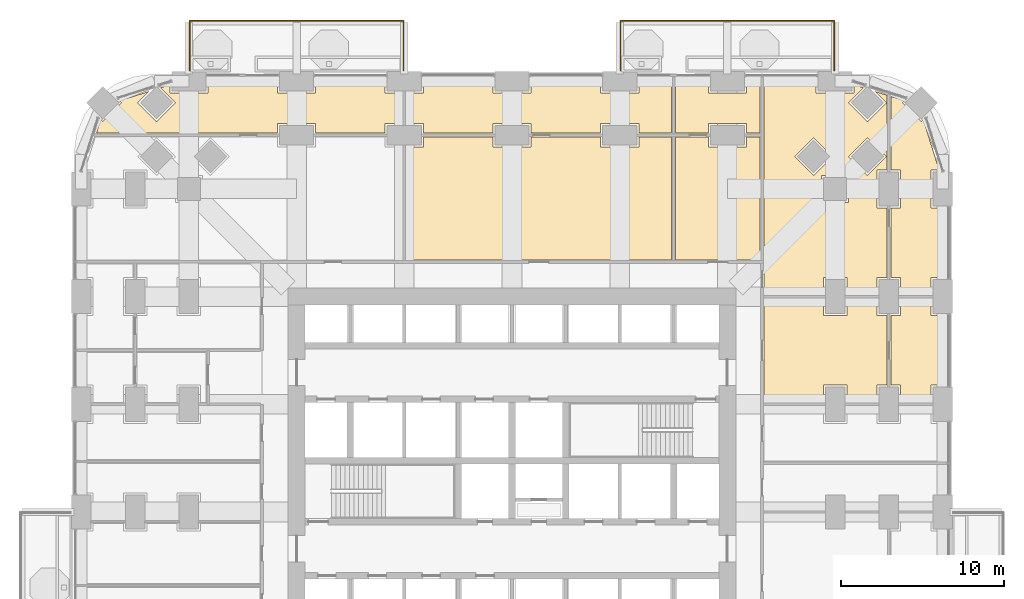
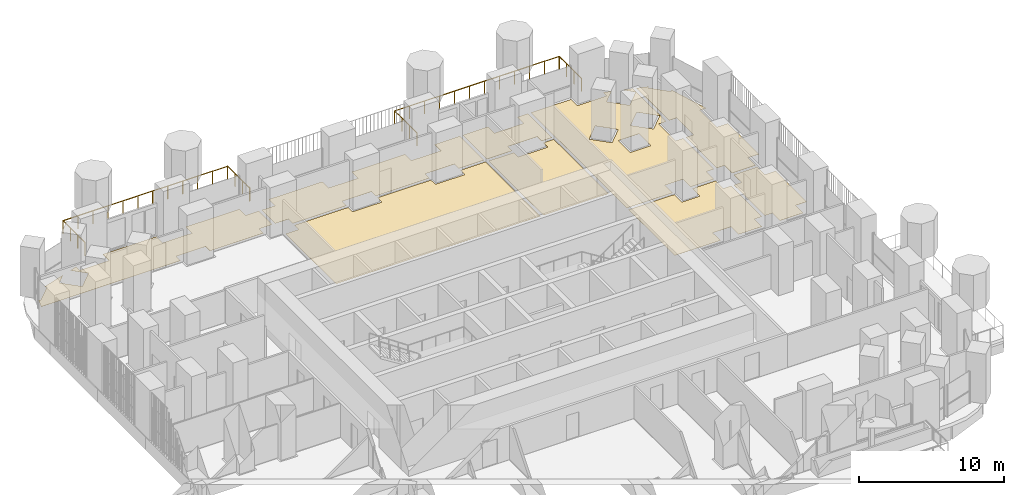
# One storey, part 26 of 27: 9 coverings, 2 railings.
"""IFC4 building model written with IfcOpenShell, lengths in metres."""

import ifcopenshell
import ifcopenshell.guid

model = None  # the IFC model being written
_history = None  # IfcOwnerHistory: only IFC2X3 demands one
_inside = {}  # id of a spatial element -> (the spatial element, [elements in it])
_under = {}  # id of a project, library or spatial element -> (it, [spatial elements below it])
_declared = {}  # id of a project -> (the project, [libraries it declares])
_typed = {}  # id of a type object -> (the type object, [elements of that type])
_made_of = {}  # id of a material, layer set ... -> (it, [elements and type objects made of it])


def new_model(schema):
    """Start an empty IFC model of exactly this schema.

    Asked for "IFC4X3", IfcOpenShell would pick the latest addendum, in which some entities
    have other attributes; the version numbers below select the first issue.
    IFC2X3 requires an IfcOwnerHistory on every rooted entity: one is made here for all.
    """
    global model, _history
    if schema == "IFC4X3":
        model = ifcopenshell.file(schema_version=(4, 3, 0, 0))
    else:
        model = ifcopenshell.file(schema=schema)
    _inside.clear()
    _under.clear()
    _declared.clear()
    _typed.clear()
    _made_of.clear()
    _history = None
    if model.schema == "IFC2X3":
        org = make("IfcOrganization", Name="unknown")
        user = make(
            "IfcPersonAndOrganization",
            ThePerson=make("IfcPerson", FamilyName="unknown"),
            TheOrganization=org,
        )
        app = make(
            "IfcApplication",
            ApplicationDeveloper=org,
            Version="unknown",
            ApplicationFullName="unknown",
            ApplicationIdentifier="unknown",
        )
        _history = make(
            "IfcOwnerHistory",
            OwningUser=user,
            OwningApplication=app,
            ChangeAction="ADDED",
            CreationDate=0,
        )
    return model


def make(cls, **values):
    """One entity of the class cls with the attributes given. An attribute that is None is left unset."""
    return model.create_entity(
        cls, **{name: value for name, value in values.items() if value is not None}
    )


def rooted(cls, **values):
    """An entity with a GlobalId (a new one), such as an element, a storey or a relation."""
    return make(cls, GlobalId=ifcopenshell.guid.new(), OwnerHistory=_history, **values)


def si_unit(unit_type, name, prefix=None):
    """IfcSIUnit, for example si_unit("LENGTHUNIT", "METRE", prefix="MILLI")."""
    return make("IfcSIUnit", UnitType=unit_type, Prefix=prefix, Name=name)


def assignment(units):
    """IfcUnitAssignment: the units of a project."""
    return None if units is None else make("IfcUnitAssignment", Units=units)


def point(xyz):
    """IfcCartesianPoint."""
    return None if xyz is None else make("IfcCartesianPoint", Coordinates=xyz)


def direction(xyz):
    """IfcDirection."""
    return None if xyz is None else make("IfcDirection", DirectionRatios=xyz)


def frame(location, z_axis=None, x_axis=None):
    """IfcAxis2Placement3D, a coordinate frame: its origin and axes. An axis left out is left unset."""
    return make(
        "IfcAxis2Placement3D",
        Location=point(location),
        Axis=direction(z_axis),
        RefDirection=direction(x_axis),
    )


def origin():
    """The frame at (0, 0, 0) with its axes left unset."""
    return frame((0.0, 0.0, 0.0))


def place(relative_to, where):
    """IfcLocalPlacement: puts the frame where relative to a parent placement (None: the world)."""
    return make(
        "IfcLocalPlacement", PlacementRelTo=relative_to, RelativePlacement=where
    )


def context(
    kind, dimensions, precision=None, world=None, true_north=None, identifier=None
):
    """IfcGeometricRepresentationContext, for example the 3D "Model" context."""
    return make(
        "IfcGeometricRepresentationContext",
        ContextIdentifier=identifier,
        ContextType=kind,
        CoordinateSpaceDimension=dimensions,
        Precision=precision,
        WorldCoordinateSystem=world,
        TrueNorth=true_north,
    )


def subcontext(parent, identifier, kind, view, scale=None):
    """IfcGeometricRepresentationSubContext, for example "Body" below "Model"."""
    return make(
        "IfcGeometricRepresentationSubContext",
        ContextIdentifier=identifier,
        ContextType=kind,
        ParentContext=parent,
        TargetScale=scale,
        TargetView=view,
    )


def project(units=None, contexts=None):
    """IfcProject with its units and contexts."""
    return rooted(
        "IfcProject",
        Name="project",
        RepresentationContexts=contexts,
        UnitsInContext=assignment(units),
    )


def spatial(cls, under=None, at=None, **own):
    """A site, building, storey or space (cls), placed at a placement, below another one or the project."""
    s = rooted(cls, ObjectPlacement=at, **own)
    if under is not None:
        _under.setdefault(under.id(), (under, []))[1].append(s)
    return s


def polyline(points):
    """IfcPolyline through the points."""
    return make("IfcPolyline", Points=[point(p) for p in points])


def outline(outer, holes=None, kind="AREA"):
    """IfcArbitraryClosedProfileDef: a profile drawn as a closed curve; with holes, ...WithVoids."""
    if holes is None:
        return make("IfcArbitraryClosedProfileDef", ProfileType=kind, OuterCurve=outer)
    return make(
        "IfcArbitraryProfileDefWithVoids",
        ProfileType=kind,
        OuterCurve=outer,
        InnerCurves=holes,
    )


def extrude(swept, where, along, depth):
    """IfcExtrudedAreaSolid: the profile swept, set in the frame where, extruded along a direction by depth."""
    return make(
        "IfcExtrudedAreaSolid",
        SweptArea=swept,
        Position=where,
        ExtrudedDirection=direction(along),
        Depth=depth,
    )


def shape(context_of_items, identifier, shape_type, items):
    """IfcShapeRepresentation: the items that make up one representation, for example the "Body"."""
    return make(
        "IfcShapeRepresentation",
        ContextOfItems=context_of_items,
        RepresentationIdentifier=identifier,
        RepresentationType=shape_type,
        Items=items,
    )


def material(Name=None, Category=None):
    """IfcMaterial."""
    return make("IfcMaterial", Name=Name, Category=Category)


def layer(
    of_material, thickness, ventilated=None, Name=None, Category=None, Priority=None
):
    """IfcMaterialLayer: one layer of a wall or slab, of a material (None: an air gap)."""
    return make(
        "IfcMaterialLayer",
        Material=of_material,
        LayerThickness=thickness,
        IsVentilated=ventilated,
        Name=Name,
        Category=Category,
        Priority=Priority,
    )


def layer_set(layers, Name=None):
    """IfcMaterialLayerSet."""
    return make("IfcMaterialLayerSet", MaterialLayers=layers, LayerSetName=Name)


def made_of(thing, what):
    """Note that an element or type object is made of a material, layer set ...; save() writes the relation."""
    if what is not None:
        _made_of.setdefault(what.id(), (what, []))[1].append(thing)
    return thing


def type_object(cls, material=None, **own):
    """A type object (cls), such as IfcWallType, which elements share."""
    return made_of(rooted(cls, **own), material)


def element(
    cls,
    number,
    at=None,
    inside=None,
    cuts=None,
    type_object=None,
    material=None,
    context=None,
    identifier="Body",
    shape_type=None,
    held_by="IfcProductDefinitionShape",
    body=None,
    shapes=None,
    **own,
):
    """One element of the class cls, such as IfcWall. Its Tag is "e" and its number.

    at: its placement. inside: the storey or other place that contains it. cuts: it is an
    opening in that element (IfcRelVoidsElement). A single representation is given by context,
    identifier, shape_type and body (its items); several are given by shapes. held_by: the class
    of the entity that holds the representations. save() writes the other relations.
    """
    e = rooted(cls, Tag="e%d" % number, ObjectPlacement=at, **own)
    if body is not None:
        shapes = [shape(context, identifier, shape_type, body)]
    if shapes is not None:
        e.Representation = make(held_by, Representations=shapes)
    if inside is not None:
        _inside.setdefault(inside.id(), (inside, []))[1].append(e)
    if cuts is not None:
        rooted(
            "IfcRelVoidsElement", RelatingBuildingElement=cuts, RelatedOpeningElement=e
        )
    if type_object is not None:
        _typed.setdefault(type_object.id(), (type_object, []))[1].append(e)
    return made_of(e, material)


def aggregate(whole, parts):
    """IfcRelAggregates: a whole, such as a stair, and the parts it consists of."""
    return rooted("IfcRelAggregates", RelatingObject=whole, RelatedObjects=parts)


def save(model, path):
    """Write the relations noted so far, then the file.

    IfcRelAggregates (storeys below a building ...), IfcRelContainedInSpatialStructure (elements
    in a storey), IfcRelDefinesByType, IfcRelAssociatesMaterial and IfcRelDeclares: one each for
    every whole, place, type object, material and project.
    """
    for whole, parts in _under.values():
        aggregate(whole, parts)
    for where, things in _inside.values():
        rooted(
            "IfcRelContainedInSpatialStructure",
            RelatedElements=things,
            RelatingStructure=where,
        )
    for kind, things in _typed.values():
        rooted("IfcRelDefinesByType", RelatedObjects=things, RelatingType=kind)
    for what, things in _made_of.values():
        rooted("IfcRelAssociatesMaterial", RelatedObjects=things, RelatingMaterial=what)
    for by, libraries in _declared.values():
        rooted("IfcRelDeclares", RelatingContext=by, RelatedDefinitions=libraries)
    model.write(path)


model = new_model("IFC4")

# Units and contexts
model_context = context("Model", 3, precision=1e-05, world=origin(), true_north=direction((0.0, 1.0)))
body_context = subcontext(model_context, "Body", "Model", "MODEL_VIEW")
ifc_project = project(units=[si_unit("LENGTHUNIT", "METRE"), si_unit("AREAUNIT", "SQUARE_METRE"), si_unit("VOLUMEUNIT", "CUBIC_METRE"), si_unit("PLANEANGLEUNIT", "RADIAN"), si_unit("MASSUNIT", "GRAM", prefix="KILO")], contexts=[model_context])

# Site, building, storey
site_placement = place(None, origin())
site = spatial("IfcSite", under=ifc_project, at=site_placement, CompositionType="ELEMENT")
building_placement = place(site_placement, origin())
building = spatial("IfcBuilding", under=site, at=building_placement, Name="Cobogo Forest Laboratory Tower", CompositionType="ELEMENT")
storey_placement = place(building_placement, frame((0.0, 0.0, 46.5)))
storey = spatial("IfcBuildingStorey", under=building, at=storey_placement, Name="L10", CompositionType="ELEMENT", Elevation=46.5)

# Railings
ifc_material_1 = material(Name="Laminated glass balustrade", Category="glass")
railing_type = type_object("IfcRailingType", Name="BG1 glass balustrade 1100", PredefinedType="GUARDRAIL", material=ifc_material_1)
railing_1_placement = place(storey_placement, frame((6.64990234375, 46.85009765625, 0.0)))
element("IfcRailing", 1, at=railing_1_placement, inside=storey, type_object=railing_type, Name="Balcony balustrade BAL-N1 L10", PredefinedType="GUARDRAIL", context=body_context, shape_type="SweptSolid", body=[
    extrude(outline(polyline([(0.022216796875, 0.00927734375), (0.00927734375, 0.022216796875), (-0.00927734375, 0.022216796875), (-0.022216796875, 0.00927734375), (-0.022216796875, -0.00927734375), (-0.00927734375, -0.022216796875), (0.00927734375, -0.022216796875), (0.022216796875, -0.00927734375), (0.022216796875, 0.00927734375)])), frame((0.0, 0.0, 1.077880859375), z_axis=(0.0, 1.0, 0.0), x_axis=(-1.0, 0.0, 0.0)), (0.0, 0.0, 1.0), 3.0498046875),
    extrude(outline(polyline([(0.022216796875, 0.00927734375), (0.00927734375, 0.022216796875), (-0.00927734375, 0.022216796875), (-0.022216796875, 0.00927734375), (-0.022216796875, -0.00927734375), (-0.00927734375, -0.022216796875), (0.00927734375, -0.022216796875), (0.022216796875, -0.00927734375), (0.022216796875, 0.00927734375)])), frame((0.0, 3.0498046875, 1.077880859375), z_axis=(1.0, 0.0, 0.0), x_axis=(0.0, 1.0, 0.0)), (0.0, 0.0, 1.0), 13.10009765625),
    extrude(outline(polyline([(0.022216796875, 0.00927734375), (0.00927734375, 0.022216796875), (-0.00927734375, 0.022216796875), (-0.022216796875, 0.00927734375), (-0.022216796875, -0.00927734375), (-0.00927734375, -0.022216796875), (0.00927734375, -0.022216796875), (0.022216796875, -0.00927734375), (0.022216796875, 0.00927734375)])), frame((13.10009765625, 3.0498046875, 1.077880859375), z_axis=(0.0, -1.0, 0.0), x_axis=(1.0, 0.0, 0.0)), (0.0, 0.0, 1.0), 3.0498046875),
    extrude(outline(polyline([(0.019287109375, 0.008056640625), (0.008056640625, 0.019287109375), (-0.008056640625, 0.019287109375), (-0.019287109375, 0.008056640625), (-0.019287109375, -0.008056640625), (-0.008056640625, -0.019287109375), (0.008056640625, -0.019287109375), (0.019287109375, -0.008056640625), (0.019287109375, 0.008056640625)])), origin(), (0.0, 0.0, 1.0), 1.077880859375),
    extrude(outline(polyline([(0.019287109375, 0.008056640625), (0.008056640625, 0.019287109375), (-0.008056640625, 0.019287109375), (-0.019287109375, 0.008056640625), (-0.019287109375, -0.008056640625), (-0.008056640625, -0.019287109375), (0.008056640625, -0.019287109375), (0.019287109375, -0.008056640625), (0.019287109375, 0.008056640625)])), frame((0.0, 1.0166015625, 0.0)), (0.0, 0.0, 1.0), 1.077880859375),
    extrude(outline(polyline([(0.019287109375, 0.008056640625), (0.008056640625, 0.019287109375), (-0.008056640625, 0.019287109375), (-0.019287109375, 0.008056640625), (-0.019287109375, -0.008056640625), (-0.008056640625, -0.019287109375), (0.008056640625, -0.019287109375), (0.019287109375, -0.008056640625), (0.019287109375, 0.008056640625)])), frame((0.0, 2.033203125, 0.0)), (0.0, 0.0, 1.0), 1.077880859375),
    extrude(outline(polyline([(0.019287109375, 0.008056640625), (0.008056640625, 0.019287109375), (-0.008056640625, 0.019287109375), (-0.019287109375, 0.008056640625), (-0.019287109375, -0.008056640625), (-0.008056640625, -0.019287109375), (0.008056640625, -0.019287109375), (0.019287109375, -0.008056640625), (0.019287109375, 0.008056640625)])), frame((0.0, 3.0498046875, 0.0)), (0.0, 0.0, 1.0), 1.077880859375),
    extrude(outline(polyline([(0.019287109375, 0.008056640625), (0.008056640625, 0.019287109375), (-0.008056640625, 0.019287109375), (-0.019287109375, 0.008056640625), (-0.019287109375, -0.008056640625), (-0.008056640625, -0.019287109375), (0.008056640625, -0.019287109375), (0.019287109375, -0.008056640625), (0.019287109375, 0.008056640625)])), frame((1.19091796875, 3.0498046875, 0.0)), (0.0, 0.0, 1.0), 1.077880859375),
    extrude(outline(polyline([(0.019287109375, 0.008056640625), (0.008056640625, 0.019287109375), (-0.008056640625, 0.019287109375), (-0.019287109375, 0.008056640625), (-0.019287109375, -0.008056640625), (-0.008056640625, -0.019287109375), (0.008056640625, -0.019287109375), (0.019287109375, -0.008056640625), (0.019287109375, 0.008056640625)])), frame((2.3818359375, 3.0498046875, 0.0)), (0.0, 0.0, 1.0), 1.077880859375),
    extrude(outline(polyline([(0.019287109375, 0.008056640625), (0.008056640625, 0.019287109375), (-0.008056640625, 0.019287109375), (-0.019287109375, 0.008056640625), (-0.019287109375, -0.008056640625), (-0.008056640625, -0.019287109375), (0.008056640625, -0.019287109375), (0.019287109375, -0.008056640625), (0.019287109375, 0.008056640625)])), frame((3.57275390625, 3.0498046875, 0.0)), (0.0, 0.0, 1.0), 1.077880859375),
    extrude(outline(polyline([(0.019287109375, 0.008056640625), (0.008056640625, 0.019287109375), (-0.008056640625, 0.019287109375), (-0.019287109375, 0.008056640625), (-0.019287109375, -0.008056640625), (-0.008056640625, -0.019287109375), (0.008056640625, -0.019287109375), (0.019287109375, -0.008056640625), (0.019287109375, 0.008056640625)])), frame((4.763671875, 3.0498046875, 0.0)), (0.0, 0.0, 1.0), 1.077880859375),
    extrude(outline(polyline([(0.019287109375, 0.008056640625), (0.008056640625, 0.019287109375), (-0.008056640625, 0.019287109375), (-0.019287109375, 0.008056640625), (-0.019287109375, -0.008056640625), (-0.008056640625, -0.019287109375), (0.008056640625, -0.019287109375), (0.019287109375, -0.008056640625), (0.019287109375, 0.008056640625)])), frame((5.95458984375, 3.0498046875, 0.0)), (0.0, 0.0, 1.0), 1.077880859375),
    extrude(outline(polyline([(0.019287109375, 0.008056640625), (0.008056640625, 0.019287109375), (-0.008056640625, 0.019287109375), (-0.019287109375, 0.008056640625), (-0.019287109375, -0.008056640625), (-0.008056640625, -0.019287109375), (0.008056640625, -0.019287109375), (0.019287109375, -0.008056640625), (0.019287109375, 0.008056640625)])), frame((7.1455078125, 3.0498046875, 0.0)), (0.0, 0.0, 1.0), 1.077880859375),
    extrude(outline(polyline([(0.019287109375, 0.008056640625), (0.008056640625, 0.019287109375), (-0.008056640625, 0.019287109375), (-0.019287109375, 0.008056640625), (-0.019287109375, -0.008056640625), (-0.008056640625, -0.019287109375), (0.008056640625, -0.019287109375), (0.019287109375, -0.008056640625), (0.019287109375, 0.008056640625)])), frame((8.33642578125, 3.0498046875, 0.0)), (0.0, 0.0, 1.0), 1.077880859375),
    extrude(outline(polyline([(0.019287109375, 0.008056640625), (0.008056640625, 0.019287109375), (-0.008056640625, 0.019287109375), (-0.019287109375, 0.008056640625), (-0.019287109375, -0.008056640625), (-0.008056640625, -0.019287109375), (0.008056640625, -0.019287109375), (0.019287109375, -0.008056640625), (0.019287109375, 0.008056640625)])), frame((9.52734375, 3.0498046875, 0.0)), (0.0, 0.0, 1.0), 1.077880859375),
    extrude(outline(polyline([(0.019287109375, 0.008056640625), (0.008056640625, 0.019287109375), (-0.008056640625, 0.019287109375), (-0.019287109375, 0.008056640625), (-0.019287109375, -0.008056640625), (-0.008056640625, -0.019287109375), (0.008056640625, -0.019287109375), (0.019287109375, -0.008056640625), (0.019287109375, 0.008056640625)])), frame((10.71826171875, 3.0498046875, 0.0)), (0.0, 0.0, 1.0), 1.077880859375),
    extrude(outline(polyline([(0.019287109375, 0.008056640625), (0.008056640625, 0.019287109375), (-0.008056640625, 0.019287109375), (-0.019287109375, 0.008056640625), (-0.019287109375, -0.008056640625), (-0.008056640625, -0.019287109375), (0.008056640625, -0.019287109375), (0.019287109375, -0.008056640625), (0.019287109375, 0.008056640625)])), frame((11.9091796875, 3.0498046875, 0.0)), (0.0, 0.0, 1.0), 1.077880859375),
    extrude(outline(polyline([(0.019287109375, 0.008056640625), (0.008056640625, 0.019287109375), (-0.008056640625, 0.019287109375), (-0.019287109375, 0.008056640625), (-0.019287109375, -0.008056640625), (-0.008056640625, -0.019287109375), (0.008056640625, -0.019287109375), (0.019287109375, -0.008056640625), (0.019287109375, 0.008056640625)])), frame((13.10009765625, 3.0498046875, 0.0)), (0.0, 0.0, 1.0), 1.077880859375),
    extrude(outline(polyline([(0.019287109375, 0.008056640625), (0.008056640625, 0.019287109375), (-0.008056640625, 0.019287109375), (-0.019287109375, 0.008056640625), (-0.019287109375, -0.008056640625), (-0.008056640625, -0.019287109375), (0.008056640625, -0.019287109375), (0.019287109375, -0.008056640625), (0.019287109375, 0.008056640625)])), frame((13.10009765625, 2.033203125, 0.0)), (0.0, 0.0, 1.0), 1.077880859375),
    extrude(outline(polyline([(0.019287109375, 0.008056640625), (0.008056640625, 0.019287109375), (-0.008056640625, 0.019287109375), (-0.019287109375, 0.008056640625), (-0.019287109375, -0.008056640625), (-0.008056640625, -0.019287109375), (0.008056640625, -0.019287109375), (0.019287109375, -0.008056640625), (0.019287109375, 0.008056640625)])), frame((13.10009765625, 1.0166015625, 0.0)), (0.0, 0.0, 1.0), 1.077880859375),
    extrude(outline(polyline([(0.019287109375, 0.008056640625), (0.008056640625, 0.019287109375), (-0.008056640625, 0.019287109375), (-0.019287109375, 0.008056640625), (-0.019287109375, -0.008056640625), (-0.008056640625, -0.019287109375), (0.008056640625, -0.019287109375), (0.019287109375, -0.008056640625), (0.019287109375, 0.008056640625)])), frame((13.10009765625, 0.0, 0.0)), (0.0, 0.0, 1.0), 1.077880859375),
])
railing_2_placement = place(storey_placement, frame((33.050048828125, 46.85009765625, 0.0)))
element("IfcRailing", 2, at=railing_2_placement, inside=storey, type_object=railing_type, Name="Balcony balustrade BAL-N2 L10", PredefinedType="GUARDRAIL", context=body_context, shape_type="SweptSolid", body=[
    extrude(outline(polyline([(0.022216796875, 0.00927734375), (0.00927734375, 0.022216796875), (-0.00927734375, 0.022216796875), (-0.022216796875, 0.00927734375), (-0.022216796875, -0.00927734375), (-0.00927734375, -0.022216796875), (0.00927734375, -0.022216796875), (0.022216796875, -0.00927734375), (0.022216796875, 0.00927734375)])), frame((0.0, 0.0, 1.077880859375), z_axis=(0.0, 1.0, 0.0), x_axis=(-1.0, 0.0, 0.0)), (0.0, 0.0, 1.0), 3.0498046875),
    extrude(outline(polyline([(0.022216796875, 0.00927734375), (0.00927734375, 0.022216796875), (-0.00927734375, 0.022216796875), (-0.022216796875, 0.00927734375), (-0.022216796875, -0.00927734375), (-0.00927734375, -0.022216796875), (0.00927734375, -0.022216796875), (0.022216796875, -0.00927734375), (0.022216796875, 0.00927734375)])), frame((0.0, 3.0498046875, 1.077880859375), z_axis=(1.0, 0.0, 0.0), x_axis=(0.0, 1.0, 0.0)), (0.0, 0.0, 1.0), 13.099853515625),
    extrude(outline(polyline([(0.022216796875, 0.00927734375), (0.00927734375, 0.022216796875), (-0.00927734375, 0.022216796875), (-0.022216796875, 0.00927734375), (-0.022216796875, -0.00927734375), (-0.00927734375, -0.022216796875), (0.00927734375, -0.022216796875), (0.022216796875, -0.00927734375), (0.022216796875, 0.00927734375)])), frame((13.099853515625, 3.0498046875, 1.077880859375), z_axis=(0.0, -1.0, 0.0), x_axis=(1.0, 0.0, 0.0)), (0.0, 0.0, 1.0), 3.0498046875),
    extrude(outline(polyline([(0.019287109375, 0.008056640625), (0.008056640625, 0.019287109375), (-0.008056640625, 0.019287109375), (-0.019287109375, 0.008056640625), (-0.019287109375, -0.008056640625), (-0.008056640625, -0.019287109375), (0.008056640625, -0.019287109375), (0.019287109375, -0.008056640625), (0.019287109375, 0.008056640625)])), origin(), (0.0, 0.0, 1.0), 1.077880859375),
    extrude(outline(polyline([(0.019287109375, 0.008056640625), (0.008056640625, 0.019287109375), (-0.008056640625, 0.019287109375), (-0.019287109375, 0.008056640625), (-0.019287109375, -0.008056640625), (-0.008056640625, -0.019287109375), (0.008056640625, -0.019287109375), (0.019287109375, -0.008056640625), (0.019287109375, 0.008056640625)])), frame((0.0, 1.0166015625, 0.0)), (0.0, 0.0, 1.0), 1.077880859375),
    extrude(outline(polyline([(0.019287109375, 0.008056640625), (0.008056640625, 0.019287109375), (-0.008056640625, 0.019287109375), (-0.019287109375, 0.008056640625), (-0.019287109375, -0.008056640625), (-0.008056640625, -0.019287109375), (0.008056640625, -0.019287109375), (0.019287109375, -0.008056640625), (0.019287109375, 0.008056640625)])), frame((0.0, 2.033203125, 0.0)), (0.0, 0.0, 1.0), 1.077880859375),
    extrude(outline(polyline([(0.019287109375, 0.008056640625), (0.008056640625, 0.019287109375), (-0.008056640625, 0.019287109375), (-0.019287109375, 0.008056640625), (-0.019287109375, -0.008056640625), (-0.008056640625, -0.019287109375), (0.008056640625, -0.019287109375), (0.019287109375, -0.008056640625), (0.019287109375, 0.008056640625)])), frame((0.0, 3.0498046875, 0.0)), (0.0, 0.0, 1.0), 1.077880859375),
    extrude(outline(polyline([(0.019287109375, 0.008056640625), (0.008056640625, 0.019287109375), (-0.008056640625, 0.019287109375), (-0.019287109375, 0.008056640625), (-0.019287109375, -0.008056640625), (-0.008056640625, -0.019287109375), (0.008056640625, -0.019287109375), (0.019287109375, -0.008056640625), (0.019287109375, 0.008056640625)])), frame((1.19091796875, 3.0498046875, 0.0)), (0.0, 0.0, 1.0), 1.077880859375),
    extrude(outline(polyline([(0.019287109375, 0.008056640625), (0.008056640625, 0.019287109375), (-0.008056640625, 0.019287109375), (-0.019287109375, 0.008056640625), (-0.019287109375, -0.008056640625), (-0.008056640625, -0.019287109375), (0.008056640625, -0.019287109375), (0.019287109375, -0.008056640625), (0.019287109375, 0.008056640625)])), frame((2.3818359375, 3.0498046875, 0.0)), (0.0, 0.0, 1.0), 1.077880859375),
    extrude(outline(polyline([(0.019287109375, 0.008056640625), (0.008056640625, 0.019287109375), (-0.008056640625, 0.019287109375), (-0.019287109375, 0.008056640625), (-0.019287109375, -0.008056640625), (-0.008056640625, -0.019287109375), (0.008056640625, -0.019287109375), (0.019287109375, -0.008056640625), (0.019287109375, 0.008056640625)])), frame((3.57275390625, 3.0498046875, 0.0)), (0.0, 0.0, 1.0), 1.077880859375),
    extrude(outline(polyline([(0.019287109375, 0.008056640625), (0.008056640625, 0.019287109375), (-0.008056640625, 0.019287109375), (-0.019287109375, 0.008056640625), (-0.019287109375, -0.008056640625), (-0.008056640625, -0.019287109375), (0.008056640625, -0.019287109375), (0.019287109375, -0.008056640625), (0.019287109375, 0.008056640625)])), frame((4.763671875, 3.0498046875, 0.0)), (0.0, 0.0, 1.0), 1.077880859375),
    extrude(outline(polyline([(0.019287109375, 0.008056640625), (0.008056640625, 0.019287109375), (-0.008056640625, 0.019287109375), (-0.019287109375, 0.008056640625), (-0.019287109375, -0.008056640625), (-0.008056640625, -0.019287109375), (0.008056640625, -0.019287109375), (0.019287109375, -0.008056640625), (0.019287109375, 0.008056640625)])), frame((5.95458984375, 3.0498046875, 0.0)), (0.0, 0.0, 1.0), 1.077880859375),
    extrude(outline(polyline([(0.019287109375, 0.008056640625), (0.008056640625, 0.019287109375), (-0.008056640625, 0.019287109375), (-0.019287109375, 0.008056640625), (-0.019287109375, -0.008056640625), (-0.008056640625, -0.019287109375), (0.008056640625, -0.019287109375), (0.019287109375, -0.008056640625), (0.019287109375, 0.008056640625)])), frame((7.145263671875, 3.0498046875, 0.0)), (0.0, 0.0, 1.0), 1.077880859375),
    extrude(outline(polyline([(0.019287109375, 0.008056640625), (0.008056640625, 0.019287109375), (-0.008056640625, 0.019287109375), (-0.019287109375, 0.008056640625), (-0.019287109375, -0.008056640625), (-0.008056640625, -0.019287109375), (0.008056640625, -0.019287109375), (0.019287109375, -0.008056640625), (0.019287109375, 0.008056640625)])), frame((8.336181640625, 3.0498046875, 0.0)), (0.0, 0.0, 1.0), 1.077880859375),
    extrude(outline(polyline([(0.019287109375, 0.008056640625), (0.008056640625, 0.019287109375), (-0.008056640625, 0.019287109375), (-0.019287109375, 0.008056640625), (-0.019287109375, -0.008056640625), (-0.008056640625, -0.019287109375), (0.008056640625, -0.019287109375), (0.019287109375, -0.008056640625), (0.019287109375, 0.008056640625)])), frame((9.527099609375, 3.0498046875, 0.0)), (0.0, 0.0, 1.0), 1.077880859375),
    extrude(outline(polyline([(0.019287109375, 0.008056640625), (0.008056640625, 0.019287109375), (-0.008056640625, 0.019287109375), (-0.019287109375, 0.008056640625), (-0.019287109375, -0.008056640625), (-0.008056640625, -0.019287109375), (0.008056640625, -0.019287109375), (0.019287109375, -0.008056640625), (0.019287109375, 0.008056640625)])), frame((10.718017578125, 3.0498046875, 0.0)), (0.0, 0.0, 1.0), 1.077880859375),
    extrude(outline(polyline([(0.019287109375, 0.008056640625), (0.008056640625, 0.019287109375), (-0.008056640625, 0.019287109375), (-0.019287109375, 0.008056640625), (-0.019287109375, -0.008056640625), (-0.008056640625, -0.019287109375), (0.008056640625, -0.019287109375), (0.019287109375, -0.008056640625), (0.019287109375, 0.008056640625)])), frame((11.908935546875, 3.0498046875, 0.0)), (0.0, 0.0, 1.0), 1.077880859375),
    extrude(outline(polyline([(0.019287109375, 0.008056640625), (0.008056640625, 0.019287109375), (-0.008056640625, 0.019287109375), (-0.019287109375, 0.008056640625), (-0.019287109375, -0.008056640625), (-0.008056640625, -0.019287109375), (0.008056640625, -0.019287109375), (0.019287109375, -0.008056640625), (0.019287109375, 0.008056640625)])), frame((13.099853515625, 3.0498046875, 0.0)), (0.0, 0.0, 1.0), 1.077880859375),
    extrude(outline(polyline([(0.019287109375, 0.008056640625), (0.008056640625, 0.019287109375), (-0.008056640625, 0.019287109375), (-0.019287109375, 0.008056640625), (-0.019287109375, -0.008056640625), (-0.008056640625, -0.019287109375), (0.008056640625, -0.019287109375), (0.019287109375, -0.008056640625), (0.019287109375, 0.008056640625)])), frame((13.099853515625, 2.033203125, 0.0)), (0.0, 0.0, 1.0), 1.077880859375),
    extrude(outline(polyline([(0.019287109375, 0.008056640625), (0.008056640625, 0.019287109375), (-0.008056640625, 0.019287109375), (-0.019287109375, 0.008056640625), (-0.019287109375, -0.008056640625), (-0.008056640625, -0.019287109375), (0.008056640625, -0.019287109375), (0.019287109375, -0.008056640625), (0.019287109375, 0.008056640625)])), frame((13.099853515625, 1.0166015625, 0.0)), (0.0, 0.0, 1.0), 1.077880859375),
    extrude(outline(polyline([(0.019287109375, 0.008056640625), (0.008056640625, 0.019287109375), (-0.008056640625, 0.019287109375), (-0.019287109375, 0.008056640625), (-0.019287109375, -0.008056640625), (-0.008056640625, -0.019287109375), (0.008056640625, -0.019287109375), (0.019287109375, -0.008056640625), (0.019287109375, 0.008056640625)])), frame((13.099853515625, 0.0, 0.0)), (0.0, 0.0, 1.0), 1.077880859375),
])

# Coverings
ifc_material_2 = material(Name="Carpet tile on raised access floor", Category="flooring")
ifc_layer_1 = layer(ifc_material_2, 0.008056640625)
ifc_layer_set_1 = layer_set([ifc_layer_1], Name="CT1 carpet tile floor 8")
covering_type_1 = type_object("IfcCoveringType", Name="CT1 carpet tile floor 8", PredefinedType="FLOORING", material=ifc_layer_set_1)
covering_1_placement = place(storey_placement, origin())
element("IfcCovering", 3, at=covering_1_placement, inside=storey, type_object=covering_type_1, Name="Carpet floor L10-16", PredefinedType="FLOORING", context=body_context, shape_type="SweptSolid", body=[
    extrude(outline(polyline([(49.6201171875, 31.830078125), (50.219970703125, 31.830078125), (50.219970703125, 32.8798828125), (52.080078125, 32.8798828125), (52.080078125, 31.830078125), (52.949951171875, 31.830078125), (52.949951171875, 27.570068359375), (52.080078125, 27.570068359375), (52.080078125, 26.52001953125), (50.219970703125, 26.52001953125), (50.219970703125, 27.570068359375), (49.6201171875, 27.570068359375), (49.6201171875, 31.830078125)])), origin(), (0.0, 0.0, 1.0), 0.008056640625),
])
covering_2_placement = place(storey_placement, origin())
element("IfcCovering", 4, at=covering_2_placement, inside=storey, type_object=covering_type_1, Name="Carpet floor L10-18", PredefinedType="FLOORING", context=body_context, shape_type="SweptSolid", body=[
    extrude(outline(polyline([(49.6201171875, 38.429931640625), (50.219970703125, 38.429931640625), (50.219970703125, 40.77001953125), (49.6201171875, 40.77001953125), (49.6201171875, 45.26025390625), (50.441162109375, 45.0009765625), (50.322265625, 44.882080078125), (51.48193359375, 43.722412109375), (51.600830078125, 43.84130859375), (52.57080078125, 40.77001953125), (52.080078125, 40.77001953125), (52.080078125, 38.429931640625), (52.949951171875, 38.429931640625), (52.949951171875, 34.169921875), (52.080078125, 34.169921875), (52.080078125, 33.1201171875), (50.219970703125, 33.1201171875), (50.219970703125, 34.169921875), (49.6201171875, 34.169921875), (49.6201171875, 38.429931640625)])), origin(), (0.0, 0.0, 1.0), 0.008056640625),
])
covering_3_placement = place(storey_placement, origin())
element("IfcCovering", 5, at=covering_3_placement, inside=storey, type_object=covering_type_1, Name="Carpet floor L10-20", PredefinedType="FLOORING", context=body_context, shape_type="SweptSolid", body=[
    extrude(outline(polyline([(14.3701171875, 43.02001953125), (14.3701171875, 43.6201171875), (12.030029296875, 43.6201171875), (12.030029296875, 43.02001953125), (0.939697265625, 43.02001953125), (1.19921875, 43.84130859375), (1.318115234375, 43.722412109375), (2.477783203125, 44.882080078125), (2.358642578125, 45.0009765625), (4.1396484375, 45.563232421875), (3.458251953125, 44.882080078125), (4.617919921875, 43.722412109375), (5.777587890625, 44.882080078125), (4.86669921875, 45.79296875), (5.429931640625, 45.970703125), (5.429931640625, 45.47998046875), (7.77001953125, 45.47998046875), (7.77001953125, 46.35009765625), (12.030029296875, 46.35009765625), (12.030029296875, 45.47998046875), (14.3701171875, 45.47998046875), (14.3701171875, 46.35009765625), (18.6298828125, 46.35009765625), (18.6298828125, 45.47998046875), (19.679931640625, 45.47998046875), (19.679931640625, 43.6201171875), (18.6298828125, 43.6201171875), (18.6298828125, 43.02001953125), (14.3701171875, 43.02001953125)])), origin(), (0.0, 0.0, 1.0), 0.008056640625),
])
covering_4_placement = place(storey_placement, origin())
element("IfcCovering", 6, at=covering_4_placement, inside=storey, type_object=covering_type_1, Name="Carpet floor L10-22", PredefinedType="FLOORING", context=body_context, shape_type="SweptSolid", body=[
    extrude(outline(polyline([(34.169921875, 43.02001953125), (34.169921875, 43.6201171875), (31.830078125, 43.6201171875), (31.830078125, 43.02001953125), (27.570068359375, 43.02001953125), (27.570068359375, 43.6201171875), (25.22998046875, 43.6201171875), (25.22998046875, 43.02001953125), (20.969970703125, 43.02001953125), (20.969970703125, 43.6201171875), (19.919921875, 43.6201171875), (19.919921875, 45.47998046875), (20.969970703125, 45.47998046875), (20.969970703125, 46.35009765625), (25.22998046875, 46.35009765625), (25.22998046875, 45.47998046875), (27.570068359375, 45.47998046875), (27.570068359375, 46.35009765625), (31.830078125, 46.35009765625), (31.830078125, 45.47998046875), (34.169921875, 45.47998046875), (34.169921875, 46.35009765625), (36.179931640625, 46.35009765625), (36.179931640625, 43.02001953125), (34.169921875, 43.02001953125)])), origin(), (0.0, 0.0, 1.0), 0.008056640625),
])
covering_5_placement = place(storey_placement, origin())
element("IfcCovering", 7, at=covering_5_placement, inside=storey, type_object=covering_type_1, Name="Carpet floor L10-24", PredefinedType="FLOORING", context=body_context, shape_type="SweptSolid", body=[
    extrude(outline(polyline([(40.77001953125, 43.02001953125), (40.77001953125, 43.6201171875), (38.429931640625, 43.6201171875), (38.429931640625, 43.02001953125), (36.419921875, 43.02001953125), (36.419921875, 46.35009765625), (38.429931640625, 46.35009765625), (38.429931640625, 45.47998046875), (40.77001953125, 45.47998046875), (40.77001953125, 46.35009765625), (41.60498046875, 46.35009765625), (41.60498046875, 43.02001953125), (40.77001953125, 43.02001953125)])), origin(), (0.0, 0.0, 1.0), 0.008056640625),
])
ifc_material_3 = material(Name="Epoxy resin flooring", Category="flooring")
ifc_layer_2 = layer(ifc_material_3, 0.00390625)
ifc_layer_set_2 = layer_set([ifc_layer_2], Name="LF1 epoxy laboratory floor 4")
covering_type_2 = type_object("IfcCoveringType", Name="LF1 epoxy laboratory floor 4", PredefinedType="FLOORING", material=ifc_layer_set_2)
covering_6_placement = place(storey_placement, origin())
element("IfcCovering", 8, at=covering_6_placement, inside=storey, type_object=covering_type_2, Name="Epoxy laboratory floor L10-15", PredefinedType="FLOORING", context=body_context, shape_type="SweptSolid", body=[
    extrude(outline(polyline([(41.844970703125, 32.8798828125), (45.47998046875, 32.8798828125), (45.47998046875, 31.830078125), (46.919921875, 31.830078125), (46.919921875, 32.8798828125), (48.780029296875, 32.8798828125), (48.780029296875, 31.830078125), (49.3798828125, 31.830078125), (49.3798828125, 27.570068359375), (48.780029296875, 27.570068359375), (48.780029296875, 26.52001953125), (46.919921875, 26.52001953125), (46.919921875, 27.570068359375), (45.47998046875, 27.570068359375), (45.47998046875, 26.52001953125), (41.844970703125, 26.52001953125), (41.844970703125, 32.8798828125)])), origin(), (0.0, 0.0, 1.0), 0.00390625),
])
covering_7_placement = place(storey_placement, origin())
element("IfcCovering", 9, at=covering_7_placement, inside=storey, type_object=covering_type_2, Name="Epoxy laboratory floor L10-17", PredefinedType="FLOORING", context=body_context, shape_type="SweptSolid", body=[
    extrude(outline(polyline([(46.919921875, 33.1201171875), (46.919921875, 34.169921875), (45.47998046875, 34.169921875), (45.47998046875, 33.1201171875), (41.844970703125, 33.1201171875), (41.844970703125, 46.35009765625), (45.030029296875, 46.35009765625), (45.030029296875, 45.47998046875), (47.3701171875, 45.47998046875), (47.3701171875, 45.970703125), (47.933349609375, 45.79296875), (47.022216796875, 44.882080078125), (48.181884765625, 43.722412109375), (49.341552734375, 44.882080078125), (48.660400390625, 45.563232421875), (49.3798828125, 45.3359375), (49.3798828125, 40.77001953125), (48.780029296875, 40.77001953125), (48.780029296875, 38.429931640625), (49.3798828125, 38.429931640625), (49.3798828125, 34.169921875), (48.780029296875, 34.169921875), (48.780029296875, 33.1201171875), (46.919921875, 33.1201171875)]), holes=[polyline([(47.022216796875, 41.58203125), (48.181884765625, 40.42236328125), (49.341552734375, 41.58203125), (48.181884765625, 42.74169921875), (47.022216796875, 41.58203125)]), polyline([(47.02001953125, 40.419921875), (45.3798828125, 40.419921875), (45.3798828125, 38.780029296875), (47.02001953125, 38.780029296875), (47.02001953125, 40.419921875)]), polyline([(43.722412109375, 41.58203125), (44.882080078125, 40.42236328125), (46.041748046875, 41.58203125), (44.882080078125, 42.74169921875), (43.722412109375, 41.58203125)])]), origin(), (0.0, 0.0, 1.0), 0.00390625),
])
covering_8_placement = place(storey_placement, origin())
element("IfcCovering", 10, at=covering_8_placement, inside=storey, type_object=covering_type_2, Name="Epoxy laboratory floor L10-21", PredefinedType="FLOORING", context=body_context, shape_type="SweptSolid", body=[
    extrude(outline(polyline([(19.919921875, 42.179931640625), (20.969970703125, 42.179931640625), (20.969970703125, 42.780029296875), (25.22998046875, 42.780029296875), (25.22998046875, 42.179931640625), (27.570068359375, 42.179931640625), (27.570068359375, 42.780029296875), (31.830078125, 42.780029296875), (31.830078125, 42.179931640625), (34.169921875, 42.179931640625), (34.169921875, 42.780029296875), (36.179931640625, 42.780029296875), (36.179931640625, 35.2451171875), (19.919921875, 35.2451171875), (19.919921875, 42.179931640625)])), origin(), (0.0, 0.0, 1.0), 0.00390625),
])
covering_9_placement = place(storey_placement, origin())
element("IfcCovering", 11, at=covering_9_placement, inside=storey, type_object=covering_type_2, Name="Epoxy laboratory floor L10-23", PredefinedType="FLOORING", context=body_context, shape_type="SweptSolid", body=[
    extrude(outline(polyline([(36.419921875, 42.780029296875), (38.429931640625, 42.780029296875), (38.429931640625, 42.179931640625), (40.77001953125, 42.179931640625), (40.77001953125, 42.780029296875), (41.60498046875, 42.780029296875), (41.60498046875, 35.2451171875), (36.419921875, 35.2451171875), (36.419921875, 42.780029296875)])), origin(), (0.0, 0.0, 1.0), 0.00390625),
])

save(model, "model.ifc")
